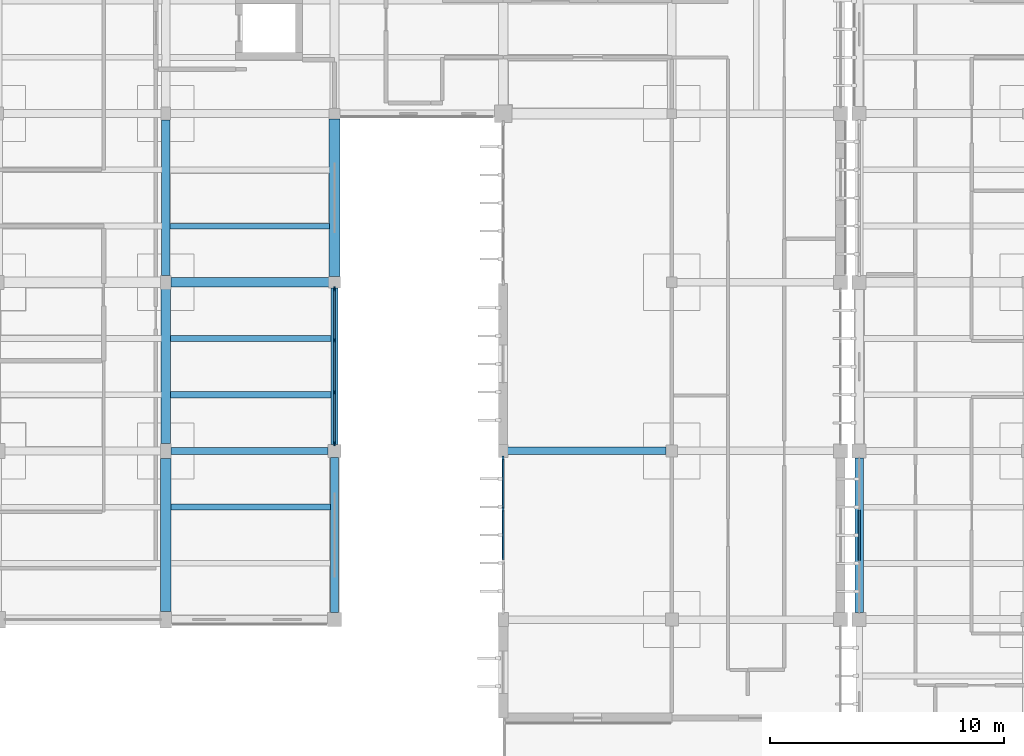
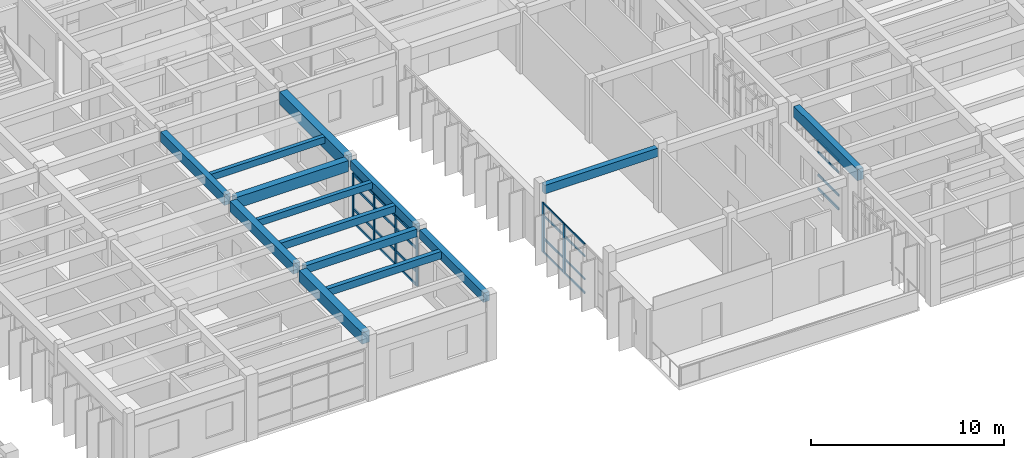
# One storey, part 9 of 55: 30 members, 14 beams, 3 elements without a shape of their own.
"""IFC4 building model written with IfcOpenShell, lengths in metres."""

from ifc_helpers import new_model, si_unit, direction, frame, origin, origin_2d, place, context, subcontext, project, spatial, rectangle, extrude, material, material_profile, profile_set, type_object, element, aggregate, save


model = new_model("IFC4")

# Units and contexts
model_context = context("Model", 3, precision=1e-05, world=origin(), true_north=direction((0.0, 1.0)))
body_context = subcontext(model_context, "Body", "Model", "MODEL_VIEW")
ifc_project = project(units=[si_unit("LENGTHUNIT", "METRE"), si_unit("AREAUNIT", "SQUARE_METRE"), si_unit("VOLUMEUNIT", "CUBIC_METRE"), si_unit("PLANEANGLEUNIT", "RADIAN"), si_unit("MASSUNIT", "GRAM", prefix="KILO")], contexts=[model_context])

# Site, building, storey
site_placement = place(None, origin())
site = spatial("IfcSite", under=ifc_project, at=site_placement, CompositionType="ELEMENT")
building_placement = place(site_placement, origin())
building = spatial("IfcBuilding", under=site, at=building_placement, Name="Steenspoor Specialist Clinic", CompositionType="ELEMENT")
storey_placement = place(building_placement, frame((0.0, 0.0, 13.199951171875)))
storey = spatial("IfcBuildingStorey", under=building, at=storey_placement, Name="L03", CompositionType="ELEMENT", Elevation=13.199951171875)

# Beams
ifc_material_1 = material(Name="Concrete C35/45", Category="concrete")
ifc_material_profile_1 = material_profile(ifc_material_1, rectangle(XDim=0.300048828125, YDim=0.47998046875, at=origin_2d()), Name="RC-BM-300X480")
ifc_profile_set_1 = profile_set([ifc_material_profile_1], Name="Concrete C35/45")
beam_type_1 = type_object("IfcBeamType", Name="BM-RC-300X480", PredefinedType="BEAM", material=ifc_profile_set_1)
beam_1_placement = place(storey_placement, frame((88.6201171875, 79.550048828125, 3.7099609375), z_axis=(1.0, 0.0, 0.0), x_axis=(0.0, 1.0, 0.0)))
element("IfcBeam", 1, at=beam_1_placement, inside=storey, type_object=beam_type_1, Name="BM-V4-L03-X0814", PredefinedType="BEAM", context=body_context, shape_type="SweptSolid", body=[
    extrude(rectangle(XDim=0.300048828125, YDim=0.47998046875, at=origin_2d()), origin(), (0.0, 0.0, 1.0), 6.7099609375),
])
ifc_material_profile_2 = material_profile(ifc_material_1, rectangle(XDim=0.300048828125, YDim=0.550048828125, at=origin_2d()), Name="RC-BM-300X550")
ifc_profile_set_2 = profile_set([ifc_material_profile_2], Name="Concrete C35/45")
beam_type_2 = type_object("IfcBeamType", Name="BM-RC-300X550", PredefinedType="BEAM", material=ifc_profile_set_2)
beam_2_placement = place(storey_placement, frame((95.60009765625, 79.820068359375, 3.675048828125), z_axis=(0.0, 1.0, 0.0), x_axis=(-1.0, 0.0, 0.0)))
element("IfcBeam", 2, at=beam_2_placement, inside=storey, type_object=beam_type_2, Name="BM-V4-L03-Y0856", PredefinedType="BEAM", context=body_context, shape_type="SweptSolid", body=[
    extrude(rectangle(XDim=0.300048828125, YDim=0.550048828125, at=origin_2d()), origin(), (0.0, 0.0, 1.0), 6.684814453125),
])
ifc_material_profile_3 = material_profile(ifc_material_1, rectangle(XDim=0.35009765625, YDim=0.580078125, at=origin_2d()), Name="RC-BM-350X580")
ifc_profile_set_3 = profile_set([ifc_material_profile_3], Name="Concrete C35/45")
beam_type_3 = type_object("IfcBeamType", Name="BM-RC-350X580", PredefinedType="BEAM", material=ifc_profile_set_3)
beam_3_placement = place(storey_placement, frame((95.60009765625, 72.64501953125, 3.66015625), z_axis=(0.0, 1.0, 0.0), x_axis=(-1.0, 0.0, 0.0)))
element("IfcBeam", 3, at=beam_3_placement, inside=storey, type_object=beam_type_3, Name="BM-V4-L03-Y0855", PredefinedType="BEAM", context=body_context, shape_type="SweptSolid", body=[
    extrude(rectangle(XDim=0.35009765625, YDim=0.580078125, at=origin_2d()), origin(), (0.0, 0.0, 1.0), 6.635009765625),
])
ifc_material_profile_4 = material_profile(ifc_material_1, rectangle(XDim=0.35009765625, YDim=0.64990234375, at=origin_2d()), Name="RC-BM-350X650")
ifc_profile_set_4 = profile_set([ifc_material_profile_4], Name="Concrete C35/45")
beam_type_4 = type_object("IfcBeamType", Name="BM-RC-350X650", PredefinedType="BEAM", material=ifc_profile_set_4)
beam_4_placement = place(storey_placement, frame((88.39990234375, 87.044921875, 3.625), z_axis=(0.0, 1.0, 0.0), x_axis=(-1.0, 0.0, 0.0)))
element("IfcBeam", 4, at=beam_4_placement, inside=storey, type_object=beam_type_4, Name="BM-V4-L03-Y0852", PredefinedType="BEAM", context=body_context, shape_type="SweptSolid", body=[
    extrude(rectangle(XDim=0.35009765625, YDim=0.64990234375, at=origin_2d()), origin(), (0.0, 0.0, 1.0), 6.635009765625),
])
ifc_material_profile_5 = material_profile(ifc_material_1, rectangle(XDim=0.39990234375, YDim=0.64990234375, at=origin_2d()), Name="RC-BM-400X650")
ifc_profile_set_5 = profile_set([ifc_material_profile_5], Name="Concrete C35/45")
beam_type_5 = type_object("IfcBeamType", Name="BM-RC-400X650", PredefinedType="BEAM", material=ifc_profile_set_5)
beam_5_placement = place(storey_placement, frame((88.39990234375, 79.8701171875, 3.625), z_axis=(0.0, 1.0, 0.0), x_axis=(-1.0, 0.0, 0.0)))
element("IfcBeam", 5, at=beam_5_placement, inside=storey, type_object=beam_type_5, Name="BM-V4-L03-Y0851", PredefinedType="BEAM", context=body_context, shape_type="SweptSolid", body=[
    extrude(rectangle(XDim=0.39990234375, YDim=0.64990234375, at=origin_2d()), origin(), (0.0, 0.0, 1.0), 6.5849609375),
])
ifc_material_profile_6 = material_profile(ifc_material_1, rectangle(XDim=0.39990234375, YDim=0.699951171875, at=origin_2d()), Name="RC-BM-400X700")
ifc_profile_set_6 = profile_set([ifc_material_profile_6], Name="Concrete C35/45")
beam_type_6 = type_object("IfcBeamType", Name="BM-RC-400X700", PredefinedType="BEAM", material=ifc_profile_set_6)
beam_6_placement = place(storey_placement, frame((88.6201171875, 86.75, 3.60009765625), z_axis=(1.0, 0.0, 0.0), x_axis=(0.0, 1.0, 0.0)))
element("IfcBeam", 6, at=beam_6_placement, inside=storey, type_object=beam_type_6, Name="BM-V4-L03-X0817", PredefinedType="BEAM", context=body_context, shape_type="SweptSolid", body=[
    extrude(rectangle(XDim=0.39990234375, YDim=0.699951171875, at=origin_2d()), origin(), (0.0, 0.0, 1.0), 6.73486328125),
])
ifc_material_profile_7 = material_profile(ifc_material_1, rectangle(XDim=0.449951171875, YDim=0.719970703125, at=origin_2d()), Name="RC-BM-450X720")
ifc_profile_set_7 = profile_set([ifc_material_profile_7], Name="Concrete C35/45")
beam_type_7 = type_object("IfcBeamType", Name="BM-RC-450X720", PredefinedType="BEAM", material=ifc_profile_set_7)
beam_7_placement = place(storey_placement, frame((88.39990234375, 72.695068359375, 3.590087890625), z_axis=(0.0, 1.0, 0.0), x_axis=(-1.0, 0.0, 0.0)))
element("IfcBeam", 7, at=beam_7_placement, inside=storey, type_object=beam_type_7, Name="BM-V4-L03-Y0850", PredefinedType="BEAM", context=body_context, shape_type="SweptSolid", body=[
    extrude(rectangle(XDim=0.449951171875, YDim=0.719970703125, at=origin_2d()), origin(), (0.0, 0.0, 1.0), 6.534912109375),
])
ifc_material_profile_8 = material_profile(ifc_material_1, rectangle(XDim=0.449951171875, YDim=0.800048828125, at=origin_2d()), Name="RC-BM-450X800")
ifc_profile_set_8 = profile_set([ifc_material_profile_8], Name="Concrete C35/45")
beam_type_8 = type_object("IfcBeamType", Name="BM-RC-450X800", PredefinedType="BEAM", material=ifc_profile_set_8)
beam_8_placement = place(storey_placement, frame((95.60009765625, 86.9951171875, 3.550048828125), z_axis=(0.0, 1.0, 0.0), x_axis=(-1.0, 0.0, 0.0)))
element("IfcBeam", 8, at=beam_8_placement, inside=storey, type_object=beam_type_8, Name="BM-V4-L03-Y0857", PredefinedType="BEAM", context=body_context, shape_type="SweptSolid", body=[
    extrude(rectangle(XDim=0.449951171875, YDim=0.800048828125, at=origin_2d()), origin(), (0.0, 0.0, 1.0), 6.73486328125),
])

# Curtain wall, members
ifc_material_2 = material(Name="Thermally broken aluminium and low-emissivity glass", Category="aluminium")
curtain_wall_type_1 = type_object("IfcCurtainWallType", Name="CW-SCR-360X320", PredefinedType="USERDEFINED", material=ifc_material_2)
curtain_wall_1_placement = place(storey_placement, origin())
curtain_wall_1 = element("IfcCurtainWall", 9, at=curtain_wall_1_placement, inside=storey, type_object=curtain_wall_type_1, Name="Unitised Curtain Wall CW-V4-L03-115", ObjectType="UNITISED GLAZING", PredefinedType="USERDEFINED")
ifc_material_3 = material(Name="Thermally broken aluminium 6063-T6", Category="aluminium")
ifc_material_profile_9 = material_profile(ifc_material_3, rectangle(XDim=0.080078125, YDim=0.179931640625, at=origin_2d()), Name="CWM-80X180")
ifc_profile_set_9 = profile_set([ifc_material_profile_9], Name="Thermally broken aluminium 6063-T6")
member_type_1 = type_object("IfcMemberType", Name="CW-MULL-80X180", PredefinedType="MULLION", material=ifc_profile_set_9)
member_1_placement = place(storey_placement, frame((95.60009765625, 86.4599609375, 0.0), z_axis=(0.0, 0.0, 1.0), x_axis=(1.0, 0.0, 0.0)))
member_1 = element("IfcMember", 10, at=member_1_placement, type_object=member_type_1, Name="CW-19 mullion 1", PredefinedType="MULLION", context=body_context, shape_type="SweptSolid", body=[
    extrude(rectangle(XDim=0.080078125, YDim=0.179931640625, at=origin_2d()), origin(), (0.0, 0.0, 1.0), 3.130126953125),
])
member_2_placement = place(storey_placement, frame((95.60009765625, 84.27490234375, 0.0), z_axis=(0.0, 0.0, 1.0), x_axis=(1.0, 0.0, 0.0)))
member_2 = element("IfcMember", 11, at=member_2_placement, type_object=member_type_1, Name="CW-19 mullion 2", PredefinedType="MULLION", context=body_context, shape_type="SweptSolid", body=[
    extrude(rectangle(XDim=0.080078125, YDim=0.179931640625, at=origin_2d()), origin(), (0.0, 0.0, 1.0), 3.130126953125),
])
member_3_placement = place(storey_placement, frame((95.60009765625, 82.050048828125, 0.0), z_axis=(0.0, 0.0, 1.0), x_axis=(1.0, 0.0, 0.0)))
member_3 = element("IfcMember", 12, at=member_3_placement, type_object=member_type_1, Name="CW-19 mullion 3", PredefinedType="MULLION", context=body_context, shape_type="SweptSolid", body=[
    extrude(rectangle(XDim=0.080078125, YDim=0.179931640625, at=origin_2d()), origin(), (0.0, 0.0, 1.0), 3.130126953125),
])
member_4_placement = place(storey_placement, frame((95.60009765625, 79.864990234375, 0.0), z_axis=(0.0, 0.0, 1.0), x_axis=(1.0, 0.0, 0.0)))
member_4 = element("IfcMember", 13, at=member_4_placement, type_object=member_type_1, Name="CW-19 mullion 4", PredefinedType="MULLION", context=body_context, shape_type="SweptSolid", body=[
    extrude(rectangle(XDim=0.080078125, YDim=0.179931640625, at=origin_2d()), origin(), (0.0, 0.0, 1.0), 3.130126953125),
])

curtain_wall_type_2 = type_object("IfcCurtainWallType", Name="CW-SCR-660X320", PredefinedType="USERDEFINED", material=ifc_material_2)
curtain_wall_2_placement = place(storey_placement, origin())
curtain_wall_2 = element("IfcCurtainWall", 14, at=curtain_wall_2_placement, inside=storey, type_object=curtain_wall_type_2, Name="Unitised Curtain Wall CW-V4-L03-113", ObjectType="UNITISED GLAZING", PredefinedType="USERDEFINED")
ifc_material_profile_10 = material_profile(ifc_material_3, rectangle(XDim=0.090087890625, YDim=0.199951171875, at=origin_2d()), Name="CWM-90X200")
ifc_profile_set_10 = profile_set([ifc_material_profile_10], Name="Thermally broken aluminium 6063-T6")
member_type_2 = type_object("IfcMemberType", Name="CW-MULL-90X200", PredefinedType="MULLION", material=ifc_profile_set_10)
member_5_placement = place(storey_placement, frame((102.800048828125, 77.066650390625, 0.0), z_axis=(0.0, 0.0, 1.0), x_axis=(-1.0, 0.0, 0.0)))
member_5 = element("IfcMember", 15, at=member_5_placement, type_object=member_type_2, Name="CW-17 mullion 3", PredefinedType="MULLION", context=body_context, shape_type="SweptSolid", body=[
    extrude(rectangle(XDim=0.090087890625, YDim=0.199951171875, at=origin_2d()), origin(), (0.0, 0.0, 1.0), 3.130126953125),
])
member_6_placement = place(storey_placement, frame((102.800048828125, 79.22998046875, 0.0), z_axis=(0.0, 0.0, 1.0), x_axis=(-1.0, 0.0, 0.0)))
member_6 = element("IfcMember", 16, at=member_6_placement, type_object=member_type_2, Name="CW-17 mullion 4", PredefinedType="MULLION", context=body_context, shape_type="SweptSolid", body=[
    extrude(rectangle(XDim=0.090087890625, YDim=0.199951171875, at=origin_2d()), origin(), (0.0, 0.0, 1.0), 3.130126953125),
])
ifc_material_profile_11 = material_profile(ifc_material_3, rectangle(XDim=0.06005859375, YDim=0.114990234375, at=origin_2d()), Name="CWT-60X115")
ifc_profile_set_11 = profile_set([ifc_material_profile_11], Name="Thermally broken aluminium 6063-T6")
member_type_3 = type_object("IfcMemberType", Name="CW-TRAN-60X115", PredefinedType="USERDEFINED", material=ifc_profile_set_11)
member_7_placement = place(storey_placement, frame((102.800048828125, 74.9033203125, 0.030029296875), z_axis=(0.0, 1.0, 0.0), x_axis=(-1.0, 0.0, 0.0)))
member_7 = element("IfcMember", 17, at=member_7_placement, type_object=member_type_3, Name="CW-17 transom 2.1", ObjectType="TRANSOM", PredefinedType="USERDEFINED", context=body_context, shape_type="SweptSolid", body=[
    extrude(rectangle(XDim=0.06005859375, YDim=0.114990234375, at=origin_2d()), origin(), (0.0, 0.0, 1.0), 2.118408203125),
])
member_8_placement = place(storey_placement, frame((102.800048828125, 74.9033203125, 0.900146484375), z_axis=(0.0, 1.0, 0.0), x_axis=(-1.0, 0.0, 0.0)))
member_8 = element("IfcMember", 18, at=member_8_placement, type_object=member_type_3, Name="CW-17 transom 2.2", ObjectType="TRANSOM", PredefinedType="USERDEFINED", context=body_context, shape_type="SweptSolid", body=[
    extrude(rectangle(XDim=0.06005859375, YDim=0.114990234375, at=origin_2d()), origin(), (0.0, 0.0, 1.0), 2.118408203125),
])
member_9_placement = place(storey_placement, frame((102.800048828125, 74.9033203125, 2.35009765625), z_axis=(0.0, 1.0, 0.0), x_axis=(-1.0, 0.0, 0.0)))
member_9 = element("IfcMember", 19, at=member_9_placement, type_object=member_type_3, Name="CW-17 transom 2.3", ObjectType="TRANSOM", PredefinedType="USERDEFINED", context=body_context, shape_type="SweptSolid", body=[
    extrude(rectangle(XDim=0.06005859375, YDim=0.114990234375, at=origin_2d()), origin(), (0.0, 0.0, 1.0), 2.118408203125),
])
member_10_placement = place(storey_placement, frame((102.800048828125, 74.9033203125, 3.10009765625), z_axis=(0.0, 1.0, 0.0), x_axis=(-1.0, 0.0, 0.0)))
member_10 = element("IfcMember", 20, at=member_10_placement, type_object=member_type_3, Name="CW-17 transom 2.4", ObjectType="TRANSOM", PredefinedType="USERDEFINED", context=body_context, shape_type="SweptSolid", body=[
    extrude(rectangle(XDim=0.06005859375, YDim=0.114990234375, at=origin_2d()), origin(), (0.0, 0.0, 1.0), 2.118408203125),
])
member_11_placement = place(storey_placement, frame((102.800048828125, 77.111572265625, 0.030029296875), z_axis=(0.0, 1.0, 0.0), x_axis=(-1.0, 0.0, 0.0)))
member_11 = element("IfcMember", 21, at=member_11_placement, type_object=member_type_3, Name="CW-17 transom 3.1", ObjectType="TRANSOM", PredefinedType="USERDEFINED", context=body_context, shape_type="SweptSolid", body=[
    extrude(rectangle(XDim=0.06005859375, YDim=0.114990234375, at=origin_2d()), origin(), (0.0, 0.0, 1.0), 2.073486328125),
])
member_12_placement = place(storey_placement, frame((102.800048828125, 77.111572265625, 0.900146484375), z_axis=(0.0, 1.0, 0.0), x_axis=(-1.0, 0.0, 0.0)))
member_12 = element("IfcMember", 22, at=member_12_placement, type_object=member_type_3, Name="CW-17 transom 3.2", ObjectType="TRANSOM", PredefinedType="USERDEFINED", context=body_context, shape_type="SweptSolid", body=[
    extrude(rectangle(XDim=0.06005859375, YDim=0.114990234375, at=origin_2d()), origin(), (0.0, 0.0, 1.0), 2.073486328125),
])
member_13_placement = place(storey_placement, frame((102.800048828125, 77.111572265625, 2.35009765625), z_axis=(0.0, 1.0, 0.0), x_axis=(-1.0, 0.0, 0.0)))
member_13 = element("IfcMember", 23, at=member_13_placement, type_object=member_type_3, Name="CW-17 transom 3.3", ObjectType="TRANSOM", PredefinedType="USERDEFINED", context=body_context, shape_type="SweptSolid", body=[
    extrude(rectangle(XDim=0.06005859375, YDim=0.114990234375, at=origin_2d()), origin(), (0.0, 0.0, 1.0), 2.073486328125),
])
member_14_placement = place(storey_placement, frame((102.800048828125, 77.111572265625, 3.10009765625), z_axis=(0.0, 1.0, 0.0), x_axis=(-1.0, 0.0, 0.0)))
member_14 = element("IfcMember", 24, at=member_14_placement, type_object=member_type_3, Name="CW-17 transom 3.4", ObjectType="TRANSOM", PredefinedType="USERDEFINED", context=body_context, shape_type="SweptSolid", body=[
    extrude(rectangle(XDim=0.06005859375, YDim=0.114990234375, at=origin_2d()), origin(), (0.0, 0.0, 1.0), 2.073486328125),
])
aggregate(curtain_wall_2, [member_5, member_6, member_7, member_8, member_9, member_10, member_11, member_12, member_13, member_14])

curtain_wall_type_3 = type_object("IfcCurtainWallType", Name="CW-L00-660X415", PredefinedType="USERDEFINED", material=ifc_material_2)
curtain_wall_3_placement = place(storey_placement, origin())
curtain_wall_3 = element("IfcCurtainWall", 25, at=curtain_wall_3_placement, inside=storey, type_object=curtain_wall_type_3, Name="Unitised Curtain Wall CW-V6-L03-196", ObjectType="UNITISED GLAZING", PredefinedType="USERDEFINED")
ifc_material_profile_12 = material_profile(ifc_material_3, rectangle(XDim=0.070068359375, YDim=0.14501953125, at=origin_2d()), Name="CWT-70X145")
ifc_profile_set_12 = profile_set([ifc_material_profile_12], Name="Thermally broken aluminium 6063-T6")
member_type_4 = type_object("IfcMemberType", Name="CW-TRAN-70X145", PredefinedType="USERDEFINED", material=ifc_profile_set_12)
member_15_placement = place(storey_placement, frame((118.0, 74.8798828125, 0.03515625), z_axis=(0.0, 1.0, 0.0), x_axis=(-1.0, 0.0, 0.0)))
member_15 = element("IfcMember", 26, at=member_15_placement, type_object=member_type_4, Name="CW-04 transom 2.1", ObjectType="TRANSOM", PredefinedType="USERDEFINED", context=body_context, shape_type="SweptSolid", body=[
    extrude(rectangle(XDim=0.070068359375, YDim=0.14501953125, at=origin_2d()), origin(), (0.0, 0.0, 1.0), 2.14013671875),
])
member_16_placement = place(storey_placement, frame((118.0, 74.8798828125, 0.900146484375), z_axis=(0.0, 1.0, 0.0), x_axis=(-1.0, 0.0, 0.0)))
member_16 = element("IfcMember", 27, at=member_16_placement, type_object=member_type_4, Name="CW-04 transom 2.2", ObjectType="TRANSOM", PredefinedType="USERDEFINED", context=body_context, shape_type="SweptSolid", body=[
    extrude(rectangle(XDim=0.070068359375, YDim=0.14501953125, at=origin_2d()), origin(), (0.0, 0.0, 1.0), 2.14013671875),
])
member_17_placement = place(storey_placement, frame((118.0, 74.8798828125, 2.35009765625), z_axis=(0.0, 1.0, 0.0), x_axis=(-1.0, 0.0, 0.0)))
member_17 = element("IfcMember", 28, at=member_17_placement, type_object=member_type_4, Name="CW-04 transom 2.3", ObjectType="TRANSOM", PredefinedType="USERDEFINED", context=body_context, shape_type="SweptSolid", body=[
    extrude(rectangle(XDim=0.070068359375, YDim=0.14501953125, at=origin_2d()), origin(), (0.0, 0.0, 1.0), 2.14013671875),
])
member_18_placement = place(storey_placement, frame((118.0, 74.8798828125, 3.094970703125), z_axis=(0.0, 1.0, 0.0), x_axis=(-1.0, 0.0, 0.0)))
member_18 = element("IfcMember", 29, at=member_18_placement, type_object=member_type_4, Name="CW-04 transom 2.4", ObjectType="TRANSOM", PredefinedType="USERDEFINED", context=body_context, shape_type="SweptSolid", body=[
    extrude(rectangle(XDim=0.070068359375, YDim=0.14501953125, at=origin_2d()), origin(), (0.0, 0.0, 1.0), 2.14013671875),
])
aggregate(curtain_wall_3, [member_15, member_16, member_17, member_18])

# Member
ifc_material_profile_13 = material_profile(ifc_material_3, rectangle(XDim=0.080078125, YDim=0.159912109375, at=origin_2d()), Name="CWT-80X160")
ifc_profile_set_13 = profile_set([ifc_material_profile_13], Name="Thermally broken aluminium 6063-T6")
member_type_5 = type_object("IfcMemberType", Name="CW-TRAN-80X160", PredefinedType="USERDEFINED", material=ifc_profile_set_13)
member_19_placement = place(storey_placement, frame((95.60009765625, 86.419921875, 0.0400390625), z_axis=(0.0, -1.0, 0.0), x_axis=(1.0, 0.0, 0.0)))
member_19 = element("IfcMember", 30, at=member_19_placement, type_object=member_type_5, Name="CW-19 transom 1.1", ObjectType="TRANSOM", PredefinedType="USERDEFINED", context=body_context, shape_type="SweptSolid", body=[
    extrude(rectangle(XDim=0.080078125, YDim=0.159912109375, at=origin_2d()), origin(), (0.0, 0.0, 1.0), 2.10498046875),
])

member_20_placement = place(storey_placement, frame((95.60009765625, 86.419921875, 0.900146484375), z_axis=(0.0, -1.0, 0.0), x_axis=(1.0, 0.0, 0.0)))
member_20 = element("IfcMember", 31, at=member_20_placement, type_object=member_type_5, Name="CW-19 transom 1.2", ObjectType="TRANSOM", PredefinedType="USERDEFINED", context=body_context, shape_type="SweptSolid", body=[
    extrude(rectangle(XDim=0.080078125, YDim=0.159912109375, at=origin_2d()), origin(), (0.0, 0.0, 1.0), 2.10498046875),
])

member_21_placement = place(storey_placement, frame((95.60009765625, 86.419921875, 2.35009765625), z_axis=(0.0, -1.0, 0.0), x_axis=(1.0, 0.0, 0.0)))
member_21 = element("IfcMember", 32, at=member_21_placement, type_object=member_type_5, Name="CW-19 transom 1.3", ObjectType="TRANSOM", PredefinedType="USERDEFINED", context=body_context, shape_type="SweptSolid", body=[
    extrude(rectangle(XDim=0.080078125, YDim=0.159912109375, at=origin_2d()), origin(), (0.0, 0.0, 1.0), 2.10498046875),
])

member_22_placement = place(storey_placement, frame((95.60009765625, 86.419921875, 3.090087890625), z_axis=(0.0, -1.0, 0.0), x_axis=(1.0, 0.0, 0.0)))
member_22 = element("IfcMember", 33, at=member_22_placement, type_object=member_type_5, Name="CW-19 transom 1.4", ObjectType="TRANSOM", PredefinedType="USERDEFINED", context=body_context, shape_type="SweptSolid", body=[
    extrude(rectangle(XDim=0.080078125, YDim=0.159912109375, at=origin_2d()), origin(), (0.0, 0.0, 1.0), 2.10498046875),
])

member_23_placement = place(storey_placement, frame((95.60009765625, 84.235107421875, 0.0400390625), z_axis=(0.0, -1.0, 0.0), x_axis=(1.0, 0.0, 0.0)))
member_23 = element("IfcMember", 34, at=member_23_placement, type_object=member_type_5, Name="CW-19 transom 2.1", ObjectType="TRANSOM", PredefinedType="USERDEFINED", context=body_context, shape_type="SweptSolid", body=[
    extrude(rectangle(XDim=0.080078125, YDim=0.159912109375, at=origin_2d()), origin(), (0.0, 0.0, 1.0), 2.14501953125),
])

member_24_placement = place(storey_placement, frame((95.60009765625, 84.235107421875, 0.900146484375), z_axis=(0.0, -1.0, 0.0), x_axis=(1.0, 0.0, 0.0)))
member_24 = element("IfcMember", 35, at=member_24_placement, type_object=member_type_5, Name="CW-19 transom 2.2", ObjectType="TRANSOM", PredefinedType="USERDEFINED", context=body_context, shape_type="SweptSolid", body=[
    extrude(rectangle(XDim=0.080078125, YDim=0.159912109375, at=origin_2d()), origin(), (0.0, 0.0, 1.0), 2.14501953125),
])

member_25_placement = place(storey_placement, frame((95.60009765625, 84.235107421875, 2.35009765625), z_axis=(0.0, -1.0, 0.0), x_axis=(1.0, 0.0, 0.0)))
member_25 = element("IfcMember", 36, at=member_25_placement, type_object=member_type_5, Name="CW-19 transom 2.3", ObjectType="TRANSOM", PredefinedType="USERDEFINED", context=body_context, shape_type="SweptSolid", body=[
    extrude(rectangle(XDim=0.080078125, YDim=0.159912109375, at=origin_2d()), origin(), (0.0, 0.0, 1.0), 2.14501953125),
])

member_26_placement = place(storey_placement, frame((95.60009765625, 84.235107421875, 3.090087890625), z_axis=(0.0, -1.0, 0.0), x_axis=(1.0, 0.0, 0.0)))
member_26 = element("IfcMember", 37, at=member_26_placement, type_object=member_type_5, Name="CW-19 transom 2.4", ObjectType="TRANSOM", PredefinedType="USERDEFINED", context=body_context, shape_type="SweptSolid", body=[
    extrude(rectangle(XDim=0.080078125, YDim=0.159912109375, at=origin_2d()), origin(), (0.0, 0.0, 1.0), 2.14501953125),
])

member_27_placement = place(storey_placement, frame((95.60009765625, 82.010009765625, 0.0400390625), z_axis=(0.0, -1.0, 0.0), x_axis=(1.0, 0.0, 0.0)))
member_27 = element("IfcMember", 38, at=member_27_placement, type_object=member_type_5, Name="CW-19 transom 3.1", ObjectType="TRANSOM", PredefinedType="USERDEFINED", context=body_context, shape_type="SweptSolid", body=[
    extrude(rectangle(XDim=0.080078125, YDim=0.159912109375, at=origin_2d()), origin(), (0.0, 0.0, 1.0), 2.10498046875),
])

member_28_placement = place(storey_placement, frame((95.60009765625, 82.010009765625, 0.900146484375), z_axis=(0.0, -1.0, 0.0), x_axis=(1.0, 0.0, 0.0)))
member_28 = element("IfcMember", 39, at=member_28_placement, type_object=member_type_5, Name="CW-19 transom 3.2", ObjectType="TRANSOM", PredefinedType="USERDEFINED", context=body_context, shape_type="SweptSolid", body=[
    extrude(rectangle(XDim=0.080078125, YDim=0.159912109375, at=origin_2d()), origin(), (0.0, 0.0, 1.0), 2.10498046875),
])

member_29_placement = place(storey_placement, frame((95.60009765625, 82.010009765625, 2.35009765625), z_axis=(0.0, -1.0, 0.0), x_axis=(1.0, 0.0, 0.0)))
member_29 = element("IfcMember", 40, at=member_29_placement, type_object=member_type_5, Name="CW-19 transom 3.3", ObjectType="TRANSOM", PredefinedType="USERDEFINED", context=body_context, shape_type="SweptSolid", body=[
    extrude(rectangle(XDim=0.080078125, YDim=0.159912109375, at=origin_2d()), origin(), (0.0, 0.0, 1.0), 2.10498046875),
])

member_30_placement = place(storey_placement, frame((95.60009765625, 82.010009765625, 3.090087890625), z_axis=(0.0, -1.0, 0.0), x_axis=(1.0, 0.0, 0.0)))
member_30 = element("IfcMember", 41, at=member_30_placement, type_object=member_type_5, Name="CW-19 transom 3.4", ObjectType="TRANSOM", PredefinedType="USERDEFINED", context=body_context, shape_type="SweptSolid", body=[
    extrude(rectangle(XDim=0.080078125, YDim=0.159912109375, at=origin_2d()), origin(), (0.0, 0.0, 1.0), 2.10498046875),
])

aggregate(curtain_wall_1, [member_1, member_2, member_3, member_4, member_19, member_20, member_21, member_22, member_23, member_24, member_25, member_26, member_27, member_28, member_29, member_30])

# Beams
ifc_material_profile_14 = material_profile(ifc_material_1, rectangle(XDim=0.239990234375, YDim=0.419921875, at=origin_2d()), Name="RC-JT-240X420")
ifc_profile_set_14 = profile_set([ifc_material_profile_14], Name="Concrete C35/45")
beam_type_9 = type_object("IfcBeamType", Name="JT-RC-240X420", PredefinedType="JOIST", material=ifc_profile_set_14)
beam_9_placement = place(storey_placement, frame((88.594970703125, 84.35009765625, 3.739990234375), z_axis=(1.0, 0.0, 0.0), x_axis=(0.0, 1.0, 0.0)))
element("IfcBeam", 42, at=beam_9_placement, inside=storey, type_object=beam_type_9, Name="JT-V4-L03-0895", PredefinedType="JOIST", context=body_context, shape_type="SweptSolid", body=[
    extrude(rectangle(XDim=0.239990234375, YDim=0.419921875, at=origin_2d()), origin(), (0.0, 0.0, 1.0), 6.860107421875),
])
beam_10_placement = place(storey_placement, frame((88.570068359375, 89.14990234375, 3.739990234375), z_axis=(1.0, 0.0, 0.0), x_axis=(0.0, 1.0, 0.0)))
element("IfcBeam", 43, at=beam_10_placement, inside=storey, type_object=beam_type_9, Name="JT-V4-L03-0896", PredefinedType="JOIST", context=body_context, shape_type="SweptSolid", body=[
    extrude(rectangle(XDim=0.239990234375, YDim=0.419921875, at=origin_2d()), origin(), (0.0, 0.0, 1.0), 6.809814453125),
])
ifc_material_profile_15 = material_profile(ifc_material_1, rectangle(XDim=0.260009765625, YDim=0.4599609375, at=origin_2d()), Name="RC-JT-260X460")
ifc_profile_set_15 = profile_set([ifc_material_profile_15], Name="Concrete C35/45")
beam_type_10 = type_object("IfcBeamType", Name="JT-RC-260X460", PredefinedType="JOIST", material=ifc_profile_set_15)
beam_11_placement = place(storey_placement, frame((88.6201171875, 77.14990234375, 3.719970703125), z_axis=(1.0, 0.0, 0.0), x_axis=(0.0, 1.0, 0.0)))
element("IfcBeam", 44, at=beam_11_placement, inside=storey, type_object=beam_type_10, Name="JT-V4-L03-0893", PredefinedType="JOIST", context=body_context, shape_type="SweptSolid", body=[
    extrude(rectangle(XDim=0.260009765625, YDim=0.4599609375, at=origin_2d()), origin(), (0.0, 0.0, 1.0), 6.809814453125),
])
beam_12_placement = place(storey_placement, frame((88.594970703125, 81.949951171875, 3.719970703125), z_axis=(1.0, 0.0, 0.0), x_axis=(0.0, 1.0, 0.0)))
element("IfcBeam", 45, at=beam_12_placement, inside=storey, type_object=beam_type_10, Name="JT-V4-L03-0894", PredefinedType="JOIST", context=body_context, shape_type="SweptSolid", body=[
    extrude(rectangle(XDim=0.260009765625, YDim=0.4599609375, at=origin_2d()), origin(), (0.0, 0.0, 1.0), 6.860107421875),
])
ifc_material_profile_16 = material_profile(ifc_material_1, rectangle(XDim=0.320068359375, YDim=0.5400390625, at=origin_2d()), Name="RC-SP-320X540")
ifc_profile_set_16 = profile_set([ifc_material_profile_16], Name="Concrete C35/45")
beam_type_11 = type_object("IfcBeamType", Name="SP-RC-320X540", PredefinedType="SPANDREL", material=ifc_profile_set_16)
beam_13_placement = place(storey_placement, frame((102.9951171875, 79.550048828125, 3.76513671875), z_axis=(1.0, 0.0, 0.0), x_axis=(0.0, 1.0, 0.0)))
element("IfcBeam", 46, at=beam_13_placement, inside=storey, type_object=beam_type_11, Name="BMTIER-V4-L03-X07-02", PredefinedType="SPANDREL", context=body_context, shape_type="SweptSolid", body=[
    extrude(rectangle(XDim=0.320068359375, YDim=0.5400390625, at=origin_2d()), origin(), (0.0, 0.0, 1.0), 6.759765625),
])
ifc_material_profile_17 = material_profile(ifc_material_1, rectangle(XDim=0.360107421875, YDim=0.719970703125, at=origin_2d()), Name="RC-SP-360X720")
ifc_profile_set_17 = profile_set([ifc_material_profile_17], Name="Concrete C35/45")
beam_type_12 = type_object("IfcBeamType", Name="SP-RC-360X720", PredefinedType="SPANDREL", material=ifc_profile_set_17)
beam_14_placement = place(storey_placement, frame((118.0, 72.64501953125, 3.590087890625), z_axis=(0.0, 1.0, 0.0), x_axis=(-1.0, 0.0, 0.0)))
element("IfcBeam", 47, at=beam_14_placement, inside=storey, type_object=beam_type_12, Name="BM-V6-L03-Y1725", PredefinedType="SPANDREL", context=body_context, shape_type="SweptSolid", body=[
    extrude(rectangle(XDim=0.360107421875, YDim=0.719970703125, at=origin_2d()), origin(), (0.0, 0.0, 1.0), 6.60986328125),
])

save(model, "model.ifc")
